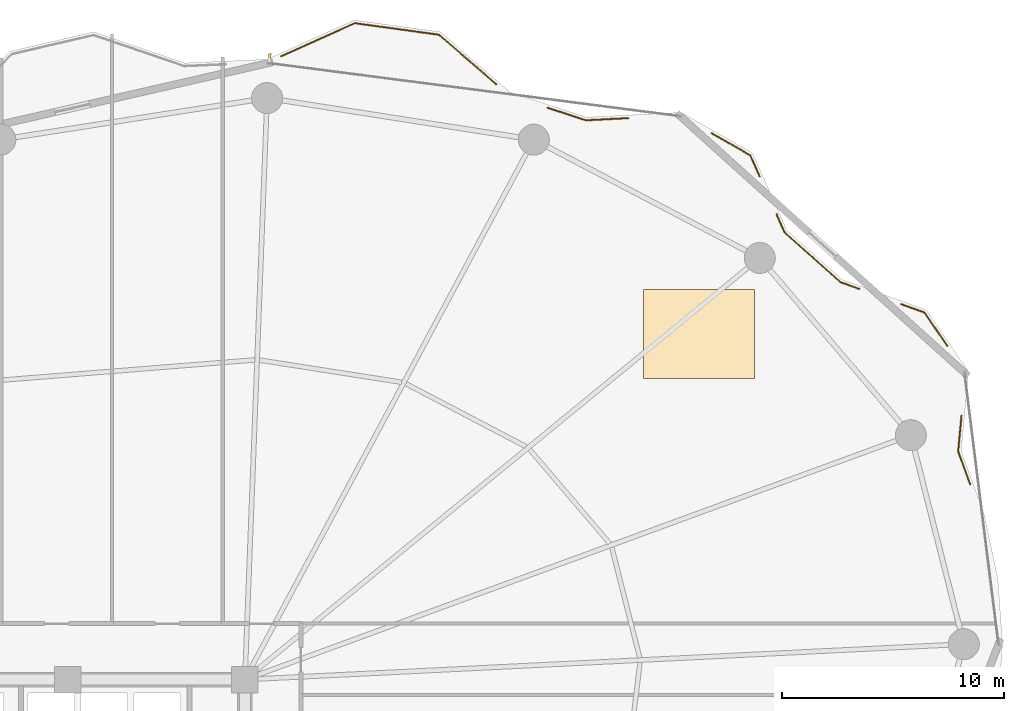
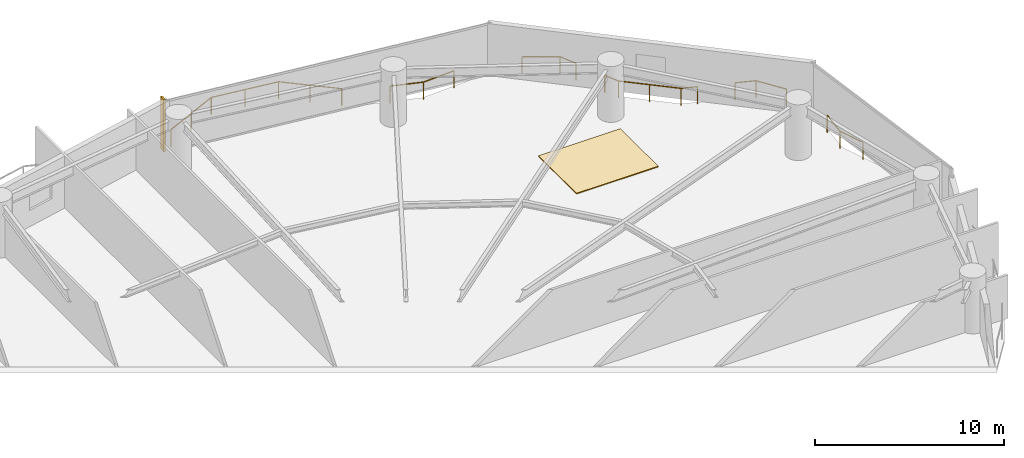
# One storey, part 30 of 30: 6 railings, 1 covering, 1 shading device.
"""IFC4 building model written with IfcOpenShell, lengths in metres."""

from ifc_helpers import new_model, si_unit, direction, frame, origin, origin_2d, place, context, subcontext, project, spatial, polyline, rectangle, outline, extrude, material, layer, layer_set, type_object, element, save


model = new_model("IFC4")

# Units and contexts
model_context = context("Model", 3, precision=1e-05, world=origin(), true_north=direction((0.0, 1.0)))
body_context = subcontext(model_context, "Body", "Model", "MODEL_VIEW")
ifc_project = project(units=[si_unit("LENGTHUNIT", "METRE"), si_unit("AREAUNIT", "SQUARE_METRE"), si_unit("VOLUMEUNIT", "CUBIC_METRE"), si_unit("PLANEANGLEUNIT", "RADIAN"), si_unit("MASSUNIT", "GRAM", prefix="KILO")], contexts=[model_context])

# Site, building, storey
site_placement = place(None, origin())
site = spatial("IfcSite", under=ifc_project, at=site_placement, CompositionType="ELEMENT")
building_placement = place(site_placement, origin())
building = spatial("IfcBuilding", under=site, at=building_placement, Name="Kazevale Care Tower and Concert Hall", CompositionType="ELEMENT")
storey_placement = place(building_placement, frame((0.0, 0.0, 70.800048828125)))
storey = spatial("IfcBuildingStorey", under=building, at=storey_placement, Name="L18", CompositionType="ELEMENT", Elevation=70.800048828125)

# Railings
ifc_material_1 = material(Name="Anodised Bronze Aluminium and Laminated Glass", Category="aluminium")
railing_type = type_object("IfcRailingType", Name="Balcony and Terrace Balustrade 1120", PredefinedType="BALUSTRADE", material=ifc_material_1)
railing_1_placement = place(storey_placement, frame((45.62890625, 64.530029296875, 0.0)))
element("IfcRailing", 1, at=railing_1_placement, inside=storey, type_object=railing_type, Name="rail:L18:perim:6", PredefinedType="BALUSTRADE", context=body_context, shape_type="SweptSolid", body=[
    extrude(rectangle(XDim=0.048095703125, YDim=0.048095703125, at=origin_2d()), frame((0.0, 0.0, 1.09619140625), z_axis=(0.911836353888, 0.410553849975, 0.0), x_axis=(-0.410553849975, 0.911836353888, 0.0)), (0.0, 0.0, 1.0), 3.64892578125),
    extrude(rectangle(XDim=0.048095703125, YDim=0.048095703125, at=origin_2d()), frame((3.3271484375, 1.498046875, 1.09619140625), z_axis=(0.990721148466, -0.13591028652, 0.0), x_axis=(0.13591028652, 0.990721148466, 0.0)), (0.0, 0.0, 1.0), 3.840576171875),
    extrude(rectangle(XDim=0.048095703125, YDim=0.048095703125, at=origin_2d()), frame((7.132080078125, 0.97607421875, 1.09619140625), z_axis=(0.756211663975, -0.654327073617, 0.0), x_axis=(0.654327073617, 0.756211663975, 0.0)), (0.0, 0.0, 1.0), 3.405029296875),
    extrude(rectangle(XDim=0.0419921875, YDim=0.0419921875, at=origin_2d()), origin(), (0.0, 0.0, 1.0), 1.072021484375),
    extrude(rectangle(XDim=0.0419921875, YDim=0.0419921875, at=origin_2d()), frame((1.66357421875, 0.7490234375, 0.0)), (0.0, 0.0, 1.0), 1.072021484375),
    extrude(rectangle(XDim=0.0419921875, YDim=0.0419921875, at=origin_2d()), frame((3.3271484375, 1.498046875, 0.0)), (0.0, 0.0, 1.0), 1.072021484375),
    extrude(rectangle(XDim=0.0419921875, YDim=0.0419921875, at=origin_2d()), frame((5.2294921875, 1.237060546875, 0.0)), (0.0, 0.0, 1.0), 1.072021484375),
    extrude(rectangle(XDim=0.0419921875, YDim=0.0419921875, at=origin_2d()), frame((7.132080078125, 0.97607421875, 0.0)), (0.0, 0.0, 1.0), 1.072021484375),
    extrude(rectangle(XDim=0.0419921875, YDim=0.0419921875, at=origin_2d()), frame((8.41943359375, -0.137939453125, 0.0)), (0.0, 0.0, 1.0), 1.072021484375),
    extrude(rectangle(XDim=0.0419921875, YDim=0.0419921875, at=origin_2d()), frame((9.70703125, -1.251953125, 0.0)), (0.0, 0.0, 1.0), 1.072021484375),
])
railing_2_placement = place(storey_placement, frame((57.6640625, 62.2109375, 0.0)))
element("IfcRailing", 2, at=railing_2_placement, inside=storey, type_object=railing_type, Name="rail:L18:perim:7", PredefinedType="BALUSTRADE", context=body_context, shape_type="SweptSolid", body=[
    extrude(rectangle(XDim=0.048095703125, YDim=0.048095703125, at=origin_2d()), frame((0.0, 0.0, 1.09619140625), z_axis=(0.949848441204, -0.312710631004, 0.0), x_axis=(0.312710631004, 0.949848441204, 0.0)), (0.0, 0.0, 1.0), 1.812744140625),
    extrude(rectangle(XDim=0.048095703125, YDim=0.048095703125, at=origin_2d()), frame((1.721923828125, -0.56689453125, 1.09619140625), z_axis=(0.998699806004, 0.05097742136, 0.0), x_axis=(-0.05097742136, 0.998699806004, 0.0)), (0.0, 0.0, 1.0), 1.92041015625),
    extrude(rectangle(XDim=0.0419921875, YDim=0.0419921875, at=origin_2d()), origin(), (0.0, 0.0, 1.0), 1.072021484375),
    extrude(rectangle(XDim=0.0419921875, YDim=0.0419921875, at=origin_2d()), frame((1.721923828125, -0.56689453125, 0.0)), (0.0, 0.0, 1.0), 1.072021484375),
    extrude(rectangle(XDim=0.0419921875, YDim=0.0419921875, at=origin_2d()), frame((3.639892578125, -0.468994140625, 0.0)), (0.0, 0.0, 1.0), 1.072021484375),
])
railing_3_placement = place(storey_placement, frame((65.068115234375, 61.06103515625, 0.0)))
element("IfcRailing", 3, at=railing_3_placement, inside=storey, type_object=railing_type, Name="rail:L18:perim:8", PredefinedType="BALUSTRADE", context=body_context, shape_type="SweptSolid", body=[
    extrude(rectangle(XDim=0.048095703125, YDim=0.048095703125, at=origin_2d()), frame((0.0, 0.0, 1.09619140625), z_axis=(0.867792636199, -0.49692649412, 0.0), x_axis=(0.49692649412, 0.867792636199, 0.0)), (0.0, 0.0, 1.0), 2.00244140625),
    extrude(rectangle(XDim=0.048095703125, YDim=0.048095703125, at=origin_2d()), frame((1.73779296875, -0.9951171875, 1.09619140625), z_axis=(0.407540067142, -0.913187326716, 0.0), x_axis=(0.913187326716, 0.407540067142, 0.0)), (0.0, 0.0, 1.0), 1.050048828125),
    extrude(rectangle(XDim=0.0419921875, YDim=0.0419921875, at=origin_2d()), origin(), (0.0, 0.0, 1.0), 1.072021484375),
    extrude(rectangle(XDim=0.0419921875, YDim=0.0419921875, at=origin_2d()), frame((1.73779296875, -0.9951171875, 0.0)), (0.0, 0.0, 1.0), 1.072021484375),
    extrude(rectangle(XDim=0.0419921875, YDim=0.0419921875, at=origin_2d()), frame((2.165771484375, -1.9541015625, 0.0)), (0.0, 0.0, 1.0), 1.072021484375),
])
railing_4_placement = place(storey_placement, frame((67.998046875, 57.39404296875, 0.0)))
element("IfcRailing", 4, at=railing_4_placement, inside=storey, type_object=railing_type, Name="rail:L18:perim:9", PredefinedType="BALUSTRADE", context=body_context, shape_type="SweptSolid", body=[
    extrude(rectangle(XDim=0.048095703125, YDim=0.048095703125, at=origin_2d()), frame((0.0, 0.0, 1.09619140625), z_axis=(0.407642654708, -0.913141536709, 0.0), x_axis=(0.913141536709, 0.407642654708, 0.0)), (0.0, 0.0, 1.0), 0.88818359375),
    extrude(rectangle(XDim=0.048095703125, YDim=0.048095703125, at=origin_2d()), frame((0.362060546875, -0.81103515625, 1.09619140625), z_axis=(0.747170017906, -0.664632954601, 0.0), x_axis=(0.664632954601, 0.747170017906, 0.0)), (0.0, 0.0, 1.0), 3.3779296875),
    extrude(rectangle(XDim=0.048095703125, YDim=0.048095703125, at=origin_2d()), frame((2.885986328125, -3.05615234375, 1.09619140625), z_axis=(0.939992660794, -0.341194662404, 0.0), x_axis=(0.341194662404, 0.939992660794, 0.0)), (0.0, 0.0, 1.0), 0.893798828125),
    extrude(rectangle(XDim=0.0419921875, YDim=0.0419921875, at=origin_2d()), origin(), (0.0, 0.0, 1.0), 1.072021484375),
    extrude(rectangle(XDim=0.0419921875, YDim=0.0419921875, at=origin_2d()), frame((0.362060546875, -0.81103515625, 0.0)), (0.0, 0.0, 1.0), 1.072021484375),
    extrude(rectangle(XDim=0.0419921875, YDim=0.0419921875, at=origin_2d()), frame((1.6240234375, -1.93359375, 0.0)), (0.0, 0.0, 1.0), 1.072021484375),
    extrude(rectangle(XDim=0.0419921875, YDim=0.0419921875, at=origin_2d()), frame((2.885986328125, -3.05615234375, 0.0)), (0.0, 0.0, 1.0), 1.072021484375),
    extrude(rectangle(XDim=0.0419921875, YDim=0.0419921875, at=origin_2d()), frame((3.72607421875, -3.361083984375, 0.0)), (0.0, 0.0, 1.0), 1.072021484375),
])
railing_5_placement = place(storey_placement, frame((73.618896484375, 53.347900390625, 0.0)))
element("IfcRailing", 5, at=railing_5_placement, inside=storey, type_object=railing_type, Name="rail:L18:perim:10", PredefinedType="BALUSTRADE", context=body_context, shape_type="SweptSolid", body=[
    extrude(rectangle(XDim=0.048095703125, YDim=0.048095703125, at=origin_2d()), frame((0.0, 0.0, 1.09619140625), z_axis=(0.940402926023, -0.340062254195, 0.0), x_axis=(0.340062254195, 0.940402926023, 0.0)), (0.0, 0.0, 1.0), 1.119873046875),
    extrude(rectangle(XDim=0.048095703125, YDim=0.048095703125, at=origin_2d()), frame((1.05322265625, -0.380859375, 1.09619140625), z_axis=(0.565260397134, -0.824912530777, 0.0), x_axis=(0.824912530777, 0.565260397134, 0.0)), (0.0, 0.0, 1.0), 1.80615234375),
    extrude(rectangle(XDim=0.0419921875, YDim=0.0419921875, at=origin_2d()), origin(), (0.0, 0.0, 1.0), 1.072021484375),
    extrude(rectangle(XDim=0.0419921875, YDim=0.0419921875, at=origin_2d()), frame((1.05322265625, -0.380859375, 0.0)), (0.0, 0.0, 1.0), 1.072021484375),
    extrude(rectangle(XDim=0.0419921875, YDim=0.0419921875, at=origin_2d()), frame((2.07421875, -1.870849609375, 0.0)), (0.0, 0.0, 1.0), 1.072021484375),
])
railing_6_placement = place(storey_placement, frame((76.343994140625, 48.31298828125, 0.0)))
element("IfcRailing", 6, at=railing_6_placement, inside=storey, type_object=railing_type, Name="rail:L18:perim:12", PredefinedType="BALUSTRADE", context=body_context, shape_type="SweptSolid", body=[
    extrude(rectangle(XDim=0.048095703125, YDim=0.048095703125, at=origin_2d()), frame((0.0, 0.0, 1.09619140625), z_axis=(-0.091990538764, -0.995759881085, 0.0), x_axis=(0.995759881085, -0.091990538764, 0.0)), (0.0, 0.0, 1.0), 1.618896484375),
    extrude(rectangle(XDim=0.048095703125, YDim=0.048095703125, at=origin_2d()), frame((-0.14892578125, -1.612060546875, 1.09619140625), z_axis=(0.340214675844, -0.940347794351, 0.0), x_axis=(0.940347794351, 0.340214675844, 0.0)), (0.0, 0.0, 1.0), 1.578125),
    extrude(rectangle(XDim=0.0419921875, YDim=0.0419921875, at=origin_2d()), origin(), (0.0, 0.0, 1.0), 1.072021484375),
    extrude(rectangle(XDim=0.0419921875, YDim=0.0419921875, at=origin_2d()), frame((-0.14892578125, -1.612060546875, 0.0)), (0.0, 0.0, 1.0), 1.072021484375),
    extrude(rectangle(XDim=0.0419921875, YDim=0.0419921875, at=origin_2d()), frame((0.387939453125, -3.095947265625, 0.0)), (0.0, 0.0, 1.0), 1.072021484375),
])

# Covering
ifc_material_2 = material(Name="EPDM Roofing Membrane")
ifc_layer = layer(ifc_material_2, 0.080078125)
ifc_layer_set = layer_set([ifc_layer], Name="EPDM Roofing Membrane")
covering_type = type_object("IfcCoveringType", Name="Inverted Insulated EPDM Roofing Membrane", PredefinedType="ROOFING", material=ifc_layer_set)
covering_placement = place(storey_placement, origin())
element("IfcCovering", 7, at=covering_placement, inside=storey, type_object=covering_type, Name="cov:L18:setback_rfg", PredefinedType="ROOFING", context=body_context, shape_type="SweptSolid", body=[
    extrude(outline(polyline([(62.0, 54.0), (67.0, 54.0), (67.0, 50.0), (62.0, 50.0), (62.0, 54.0)])), origin(), (0.0, 0.0, 1.0), 0.06005859375),
])

# Shading device
ifc_material_3 = material(Name="Honed Ochre Limestone", Category="masonry")
shading_device_type = type_object("IfcShadingDeviceType", Name="Vertical Honed Limestone Fin FIN-01", PredefinedType="USERDEFINED", material=ifc_material_3)
shading_device_placement = place(storey_placement, frame((45.112548828125, 64.47607421875, 0.0), z_axis=(0.0, 0.0, 1.0), x_axis=(0.127930151302, 0.99178318013, 0.0)))
element("IfcShadingDevice", 8, at=shading_device_placement, inside=storey, type_object=shading_device_type, Name="cw:L18:f16:fin", ObjectType="FIN", PredefinedType="USERDEFINED", context=body_context, shape_type="SweptSolid", body=[
    extrude(rectangle(XDim=0.3798828125, YDim=0.1201171875, at=origin_2d()), origin(), (0.0, 0.0, 1.0), 3.360107421875),
])

save(model, "model.ifc")
